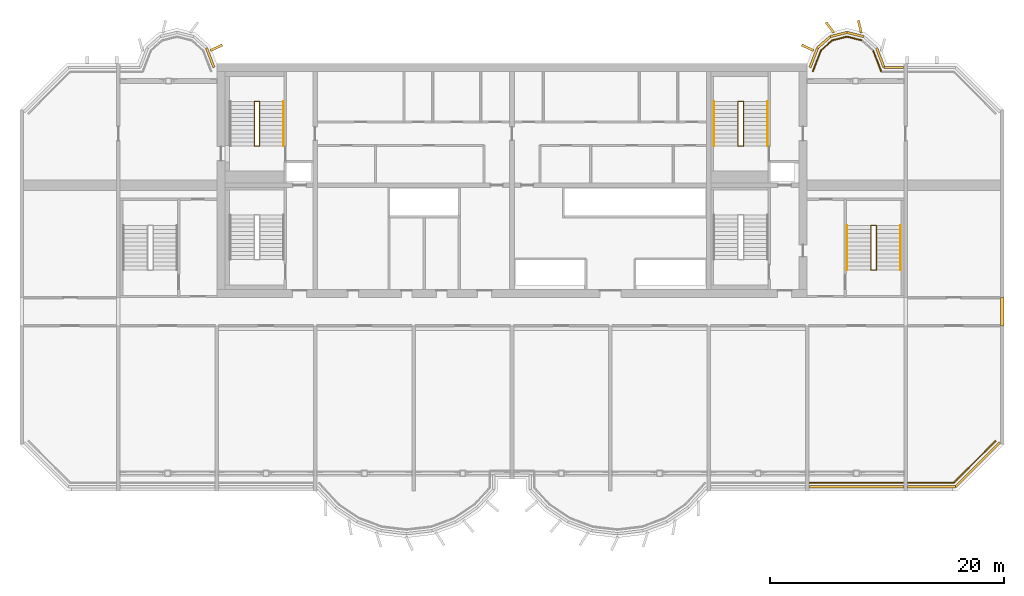
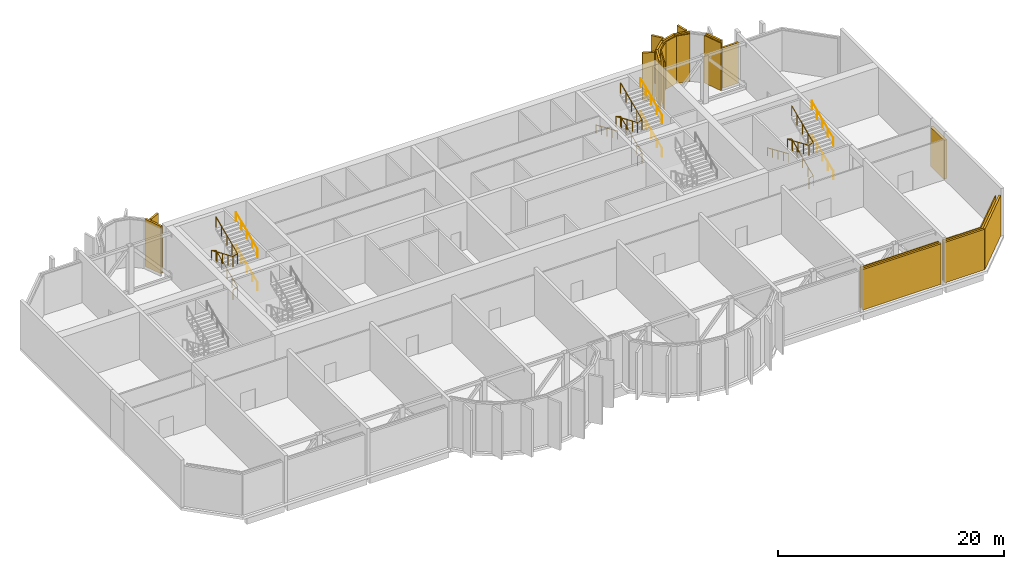
# One storey, part 14 of 15: 12 coverings, 11 railings, 11 shading devices.
"""IFC4 building model written with IfcOpenShell, lengths in metres."""

from ifc_helpers import new_model, si_unit, direction, frame, origin, origin_2d, place, context, subcontext, project, spatial, rectangle, circle, extrude, source, transform, mapped, material, layer, layer_set, material_profile, profile_set, type_object, element, save


model = new_model("IFC4")

# Units and contexts
model_context = context("Model", 3, precision=1e-05, world=origin(), true_north=direction((0.0, 1.0)))
body_context = subcontext(model_context, "Body", "Model", "MODEL_VIEW")
ifc_project = project(units=[si_unit("LENGTHUNIT", "METRE"), si_unit("AREAUNIT", "SQUARE_METRE"), si_unit("VOLUMEUNIT", "CUBIC_METRE"), si_unit("PLANEANGLEUNIT", "RADIAN"), si_unit("MASSUNIT", "GRAM", prefix="KILO")], contexts=[model_context])

# Site, building, storey
site_placement = place(None, origin())
site = spatial("IfcSite", under=ifc_project, at=site_placement, CompositionType="ELEMENT")
building_placement = place(site_placement, origin())
building = spatial("IfcBuilding", under=site, at=building_placement, Name="Vanashikhar Sky Hotel", CompositionType="ELEMENT")
storey_placement = place(building_placement, frame((0.0, 0.0, 201.0)))
storey = spatial("IfcBuildingStorey", under=building, at=storey_placement, Name="L49", CompositionType="ELEMENT", Elevation=201.0)

# Shading devices
ifc_material_1 = material(Name="Aluminium", Category="aluminium")
ifc_layer_1 = layer(ifc_material_1, 0.199951171875)
ifc_layer_set_1 = layer_set([ifc_layer_1], Name="Aluminium louvre band")
shading_device_type = type_object("IfcShadingDeviceType", Name="Aluminium louvre band", PredefinedType="USERDEFINED", material=ifc_layer_set_1)
shared_shape_1 = source(origin(), body_context, "Body", "SweptSolid", [
    extrude(rectangle(XDim=1.7900390625, YDim=0.199951171875, at=origin_2d()), origin(), (0.0, 0.0, 1.0), 5.1201171875),
])
for number, where, z_axis, x_axis, name in (
    (1, (81.839111328125, 42.485595703125, 0.0), (0.0, 0.0, 1.0), (-0.35776499493, 0.933811655744, 0.0), "Louvre band"),
    (2, (76.160888671875, 42.485595703125, 0.0), (0.0, 0.0, 1.0), (-0.35776499493, -0.933811655744, 0.0), "Louvre band"),
    (3, (24.63916015625, 42.485595703125, 0.0), (0.0, 0.0, 1.0), (-0.35776499493, 0.933811655744, 0.0), "Louvre band"),
):
    element("IfcShadingDevice", number, at=place(storey_placement, frame(where, z_axis=z_axis, x_axis=x_axis)), inside=storey, type_object=shading_device_type, Name=name, ObjectType="LOUVRE", PredefinedType="USERDEFINED", context=body_context, shape_type="MappedRepresentation", body=[
        mapped(shared_shape_1, transform((0.0, 0.0, 0.0), scale=1.0)),
    ])
shared_shape_2 = source(origin(), body_context, "Body", "SweptSolid", [
    extrude(rectangle(XDim=1.464599609375, YDim=0.199951171875, at=origin_2d()), origin(), (0.0, 0.0, 1.0), 5.1201171875),
])
shading_device_1_placement = place(storey_placement, frame((77.030029296875, 43.805908203125, 0.0), z_axis=(0.0, 0.0, 1.0), x_axis=(-0.749741606437, -0.661730703214, 0.0)))
element("IfcShadingDevice", 4, at=shading_device_1_placement, inside=storey, type_object=shading_device_type, Name="Louvre band", ObjectType="LOUVRE", PredefinedType="USERDEFINED", context=body_context, shape_type="MappedRepresentation", body=[
    mapped(shared_shape_2, transform((0.0, 0.0, 0.0), scale=1.0)),
])
shared_shape_3 = source(origin(), body_context, "Body", "SweptSolid", [
    extrude(rectangle(XDim=1.463134765625, YDim=0.199951171875, at=origin_2d()), origin(), (0.0, 0.0, 1.0), 5.1201171875),
])
for number, where, z_axis, x_axis, name in (
    (5, (79.71044921875, 44.465087890625, 0.0), (0.0, 0.0, 1.0), (-0.97113427991, 0.238533457579, 0.0), "Louvre band"),
    (6, (78.28955078125, 44.465087890625, 0.0), (0.0, 0.0, 1.0), (-0.97113427991, -0.238533457579, 0.0), "Louvre band"),
):
    element("IfcShadingDevice", number, at=place(storey_placement, frame(where, z_axis=z_axis, x_axis=x_axis)), inside=storey, type_object=shading_device_type, Name=name, ObjectType="LOUVRE", PredefinedType="USERDEFINED", context=body_context, shape_type="MappedRepresentation", body=[
        mapped(shared_shape_3, transform((0.0, 0.0, 0.0), scale=1.0)),
    ])

# Coverings
ifc_material_2 = material(Name="Concrete M40", Category="concrete")
ifc_layer_2 = layer(ifc_material_2, 0.10009765625)
ifc_layer_set_2 = layer_set([ifc_layer_2], Name="Plant floor cladding panel")
covering_type_1 = type_object("IfcCoveringType", Name="Plant floor cladding panel", PredefinedType="CLADDING", material=ifc_layer_set_2)
shared_shape_4 = source(origin(), body_context, "Body", "SweptSolid", [
    extrude(rectangle(XDim=5.076904296875, YDim=0.10009765625, at=origin_2d()), origin(), (0.0, 0.0, 1.0), 4.3701171875),
])
covering_1_placement = place(storey_placement, frame((89.905029296875, 7.994873046875, 0.0), z_axis=(0.0, 0.0, 1.0), x_axis=(0.707106781187, 0.707106781187, 0.0)))
element("IfcCovering", 7, at=covering_1_placement, inside=storey, type_object=covering_type_1, Name="Plant floor cladding panel", PredefinedType="CLADDING", context=body_context, shape_type="MappedRepresentation", body=[
    mapped(shared_shape_4, transform((0.0, 0.0, 0.0), scale=1.0)),
])
shared_shape_5 = source(origin(), body_context, "Body", "SweptSolid", [
    extrude(rectangle(XDim=1.944580078125, YDim=0.10009765625, at=origin_2d()), origin(), (0.0, 0.0, 1.0), 5.1201171875),
])
for number, where, z_axis, x_axis, name in (
    (8, (81.57080078125, 42.2080078125, 0.0), (0.0, 0.0, 1.0), (-0.357781292963, 0.933805411425, 0.0), "Plant floor cladding panel"),
    (9, (76.42919921875, 42.2080078125, 0.0), (0.0, 0.0, 1.0), (-0.357781292963, -0.933805411425, 0.0), "Plant floor cladding panel"),
):
    element("IfcCovering", number, at=place(storey_placement, frame(where, z_axis=z_axis, x_axis=x_axis)), inside=storey, type_object=covering_type_1, Name=name, PredefinedType="CLADDING", context=body_context, shape_type="MappedRepresentation", body=[
        mapped(shared_shape_5, transform((0.0, 0.0, 0.0), scale=1.0)),
    ])
shared_shape_6 = source(origin(), body_context, "Body", "SweptSolid", [
    extrude(rectangle(XDim=1.29248046875, YDim=0.10009765625, at=origin_2d()), origin(), (0.0, 0.0, 1.0), 5.1201171875),
])
covering_2_placement = place(storey_placement, frame((77.26171875, 43.543701171875, 0.0), z_axis=(0.0, 0.0, 1.0), x_axis=(-0.749683856685, -0.661796127993, 0.0)))
element("IfcCovering", 10, at=covering_2_placement, inside=storey, type_object=covering_type_1, Name="Plant floor cladding panel", PredefinedType="CLADDING", context=body_context, shape_type="MappedRepresentation", body=[
    mapped(shared_shape_6, transform((0.0, 0.0, 0.0), scale=1.0)),
])
shared_shape_7 = source(origin(), body_context, "Body", "SweptSolid", [
    extrude(rectangle(XDim=1.291015625, YDim=0.10009765625, at=origin_2d()), origin(), (0.0, 0.0, 1.0), 5.1201171875),
])
for number, where, z_axis, x_axis, name in (
    (11, (79.626953125, 44.125244140625, 0.0), (0.0, 0.0, 1.0), (-0.97115093032, 0.238465659035, 0.0), "Plant floor cladding panel"),
    (12, (78.373046875, 44.125244140625, 0.0), (0.0, 0.0, 1.0), (-0.97115093032, -0.238465659035, 0.0), "Plant floor cladding panel"),
):
    element("IfcCovering", number, at=place(storey_placement, frame(where, z_axis=z_axis, x_axis=x_axis)), inside=storey, type_object=covering_type_1, Name=name, PredefinedType="CLADDING", context=body_context, shape_type="MappedRepresentation", body=[
        mapped(shared_shape_7, transform((0.0, 0.0, 0.0), scale=1.0)),
    ])
ifc_material_3 = material(Name="Concrete M60 dark", Category="concrete")
ifc_material_profile = material_profile(ifc_material_3, rectangle(XDim=1.10009765625, YDim=0.199951171875, at=origin_2d()))
ifc_profile_set = profile_set([ifc_material_profile], Name="Rear lobe fin 1100 x 200")
covering_type_2 = type_object("IfcCoveringType", Name="Rear lobe fin 1100 x 200", PredefinedType="CLADDING", material=ifc_profile_set)
shared_shape_8 = source(origin(), body_context, "Body", "SweptSolid", [
    extrude(rectangle(XDim=1.10009765625, YDim=0.199951171875, at=origin_2d()), origin(), (0.0, 0.0, 1.0), 5.1201171875),
])
for number, where, z_axis, x_axis, name in (
    (13, (25.169677734375, 43.33447265625, 0.0), (0.0, 0.0, 1.0), (0.908004291068, 0.418960866193, 0.0), "Fin R1-4"),
    (14, (75.63037109375, 43.33447265625, 0.0), (0.0, 0.0, 1.0), (-0.908004291068, 0.418960866193, 0.0), "Fin R2-1"),
    (15, (77.5380859375, 45.06640625, 0.0), (0.0, 0.0, 1.0), (-0.602065892195, 0.798446404874, 0.0), "Fin R2-2"),
    (16, (80.08984375, 45.1455078125, 0.0), (0.0, 0.0, 1.0), (-0.224644935864, 0.974440687159, 0.0), "Fin R2-3"),
):
    element("IfcCovering", number, at=place(storey_placement, frame(where, z_axis=z_axis, x_axis=x_axis)), inside=storey, type_object=covering_type_2, Name=name, PredefinedType="CLADDING", context=body_context, shape_type="MappedRepresentation", body=[
        mapped(shared_shape_8, transform((0.0, 0.0, 0.0), scale=1.0)),
    ])

# Shading devices
shared_shape_9 = source(origin(), body_context, "Body", "SweptSolid", [
    extrude(rectangle(XDim=4.074951171875, YDim=0.199951171875, at=origin_2d()), origin(), (0.0, 0.0, 1.0), 4.3701171875),
])
shading_device_2_placement = place(storey_placement, frame((86.217529296875, 5.85009765625, 0.0), z_axis=(0.0, 0.0, 1.0), x_axis=(1.0, 0.0, 0.0)))
element("IfcShadingDevice", 17, at=shading_device_2_placement, inside=storey, type_object=shading_device_type, Name="Louvre band", ObjectType="LOUVRE", PredefinedType="USERDEFINED", context=body_context, shape_type="MappedRepresentation", body=[
    mapped(shared_shape_9, transform((0.0, 0.0, 0.0), scale=1.0)),
])
shared_shape_10 = source(origin(), body_context, "Body", "SweptSolid", [
    extrude(rectangle(XDim=8.0400390625, YDim=0.199951171875, at=origin_2d()), origin(), (0.0, 0.0, 1.0), 4.3701171875),
])
shading_device_3_placement = place(storey_placement, frame((79.800048828125, 5.85009765625, 0.0), z_axis=(0.0, 0.0, 1.0), x_axis=(1.0, 0.0, 0.0)))
element("IfcShadingDevice", 18, at=shading_device_3_placement, inside=storey, type_object=shading_device_type, Name="Louvre band", ObjectType="LOUVRE", PredefinedType="USERDEFINED", context=body_context, shape_type="MappedRepresentation", body=[
    mapped(shared_shape_10, transform((0.0, 0.0, 0.0), scale=1.0)),
])
shared_shape_11 = source(origin(), body_context, "Body", "SweptSolid", [
    extrude(rectangle(XDim=5.366943359375, YDim=0.199951171875, at=origin_2d()), origin(), (0.0, 0.0, 1.0), 4.3701171875),
])
shading_device_4_placement = place(storey_placement, frame((90.152587890625, 7.74755859375, 0.0), z_axis=(0.0, 0.0, 1.0), x_axis=(0.707106781187, 0.707106781187, 0.0)))
element("IfcShadingDevice", 19, at=shading_device_4_placement, inside=storey, type_object=shading_device_type, Name="Louvre band", ObjectType="LOUVRE", PredefinedType="USERDEFINED", context=body_context, shape_type="MappedRepresentation", body=[
    mapped(shared_shape_11, transform((0.0, 0.0, 0.0), scale=1.0)),
])
shared_shape_12 = source(origin(), body_context, "Body", "SweptSolid", [
    extrude(rectangle(XDim=1.66064453125, YDim=0.199951171875, at=origin_2d()), origin(), (0.0, 0.0, 1.0), 4.3701171875),
])
shading_device_5_placement = place(storey_placement, frame((82.989501953125, 41.64990234375, 0.0), z_axis=(0.0, 0.0, 1.0), x_axis=(-1.0, 0.0, 0.0)))
element("IfcShadingDevice", 20, at=shading_device_5_placement, inside=storey, type_object=shading_device_type, Name="Louvre band", ObjectType="LOUVRE", PredefinedType="USERDEFINED", context=body_context, shape_type="MappedRepresentation", body=[
    mapped(shared_shape_12, transform((0.0, 0.0, 0.0), scale=1.0)),
])

# Coverings
shared_shape_13 = source(origin(), body_context, "Body", "SweptSolid", [
    extrude(rectangle(XDim=3.93017578125, YDim=0.10009765625, at=origin_2d()), origin(), (0.0, 0.0, 1.0), 4.3701171875),
])
covering_3_placement = place(storey_placement, frame((86.14501953125, 6.199951171875, 0.0), z_axis=(0.0, 0.0, 1.0), x_axis=(1.0, 0.0, 0.0)))
element("IfcCovering", 21, at=covering_3_placement, inside=storey, type_object=covering_type_1, Name="Plant floor cladding panel", PredefinedType="CLADDING", context=body_context, shape_type="MappedRepresentation", body=[
    mapped(shared_shape_13, transform((0.0, 0.0, 0.0), scale=1.0)),
])
shared_shape_14 = source(origin(), body_context, "Body", "SweptSolid", [
    extrude(rectangle(XDim=8.0400390625, YDim=0.10009765625, at=origin_2d()), origin(), (0.0, 0.0, 1.0), 4.3701171875),
])
covering_4_placement = place(storey_placement, frame((79.800048828125, 6.199951171875, 0.0), z_axis=(0.0, 0.0, 1.0), x_axis=(1.0, 0.0, 0.0)))
element("IfcCovering", 22, at=covering_4_placement, inside=storey, type_object=covering_type_1, Name="Plant floor cladding panel", PredefinedType="CLADDING", context=body_context, shape_type="MappedRepresentation", body=[
    mapped(shared_shape_14, transform((0.0, 0.0, 0.0), scale=1.0)),
])

# Shading device
shared_shape_15 = source(origin(), body_context, "Body", "SweptSolid", [
    extrude(rectangle(XDim=0.300048828125, YDim=2.39990234375, at=origin_2d()), origin(), (0.0, 0.0, 1.0), 4.219970703125),
])
shading_device_6_placement = place(storey_placement, frame((92.25, 20.800048828125, 0.0), z_axis=(0.0, 0.0, 1.0), x_axis=(1.0, 0.0, 0.0)))
element("IfcShadingDevice", 23, at=shading_device_6_placement, inside=storey, type_object=shading_device_type, Name="Louvre band", ObjectType="LOUVRE", PredefinedType="USERDEFINED", context=body_context, shape_type="MappedRepresentation", body=[
    mapped(shared_shape_15, transform((0.0, 0.0, 0.0), scale=1.0)),
])

# Railings
ifc_material_4 = material(Name="Steel S355", Category="steel")
railing_type_1 = type_object("IfcRailingType", Name="Stair handrail 900", PredefinedType="HANDRAIL", material=ifc_material_4)
shared_shape_16 = source(origin(), body_context, "Body", "SweptSolid", [
    extrude(circle(Radius=0.02392578125, at=origin_2d()), frame((0.0, 0.0, 0.8759765625), z_axis=(0.0, -0.917250781605, 0.398310185215), x_axis=(1.0, 0.0, 0.0)), (0.0, 0.0, 1.0), 4.142822265625),
    extrude(circle(Radius=0.02099609375, at=origin_2d()), origin(), (0.0, 0.0, 1.0), 0.851806640625),
    extrude(circle(Radius=0.02099609375, at=origin_2d()), frame((0.0, -0.949951171875, 0.41259765625)), (0.0, 0.0, 1.0), 0.851806640625),
    extrude(circle(Radius=0.02099609375, at=origin_2d()), frame((0.0, -1.89990234375, 0.8251953125)), (0.0, 0.0, 1.0), 0.851806640625),
    extrude(circle(Radius=0.02099609375, at=origin_2d()), frame((0.0, -2.85009765625, 1.237548828125)), (0.0, 0.0, 1.0), 0.851806640625),
    extrude(circle(Radius=0.02099609375, at=origin_2d()), frame((0.0, -3.800048828125, 1.650146484375)), (0.0, 0.0, 1.0), 0.851806640625),
])
railing_1_placement = place(storey_placement, frame((67.64990234375, 38.75, 1.949951171875)))
element("IfcRailing", 24, at=railing_1_placement, inside=storey, type_object=railing_type_1, Name="Exit stair 6 handrail", PredefinedType="HANDRAIL", context=body_context, shape_type="MappedRepresentation", body=[
    mapped(shared_shape_16, transform((0.0, 0.0, 0.0), scale=1.0)),
])
shared_shape_17 = source(origin(), body_context, "Body", "SweptSolid", [
    extrude(circle(Radius=0.02392578125, at=origin_2d()), frame((0.0, 0.0, 0.8759765625), z_axis=(0.0, 0.917250781605, 0.398310185215), x_axis=(-1.0, 0.0, 0.0)), (0.0, 0.0, 1.0), 4.142822265625),
    extrude(circle(Radius=0.02099609375, at=origin_2d()), origin(), (0.0, 0.0, 1.0), 0.851806640625),
    extrude(circle(Radius=0.02099609375, at=origin_2d()), frame((0.0, 0.949951171875, 0.41259765625)), (0.0, 0.0, 1.0), 0.851806640625),
    extrude(circle(Radius=0.02099609375, at=origin_2d()), frame((0.0, 1.89990234375, 0.8251953125)), (0.0, 0.0, 1.0), 0.851806640625),
    extrude(circle(Radius=0.02099609375, at=origin_2d()), frame((0.0, 2.85009765625, 1.237548828125)), (0.0, 0.0, 1.0), 0.851806640625),
    extrude(circle(Radius=0.02099609375, at=origin_2d()), frame((0.0, 3.800048828125, 1.650146484375)), (0.0, 0.0, 1.0), 0.851806640625),
])
for number, where, name in (
    (25, (30.89990234375, 34.949951171875, 0.14990234375), "Exit stair 5 handrail"),
    (26, (72.199951171875, 34.949951171875, 0.14990234375), "Exit stair 6 handrail"),
):
    element("IfcRailing", number, at=place(storey_placement, frame(where)), inside=storey, type_object=railing_type_1, Name=name, PredefinedType="HANDRAIL", context=body_context, shape_type="MappedRepresentation", body=[
        mapped(shared_shape_17, transform((0.0, 0.0, 0.0), scale=1.0)),
    ])
railing_type_2 = type_object("IfcRailingType", Name="Stair guard 1100", PredefinedType="GUARDRAIL", material=ifc_material_4)
shared_shape_18 = source(origin(), body_context, "Body", "SweptSolid", [
    extrude(circle(Radius=0.02392578125, at=origin_2d()), frame((0.0, 0.0, 1.076171875), z_axis=(0.948786153043, 0.0, 0.315919033605), x_axis=(0.0, 1.0, 0.0)), (0.0, 0.0, 1.0), 0.474609375),
    extrude(circle(Radius=0.02392578125, at=origin_2d()), frame((0.4501953125, 0.0, 1.22607421875), z_axis=(0.0, 0.917250781605, 0.398310185215), x_axis=(-1.0, 0.0, 0.0)), (0.0, 0.0, 1.0), 4.142822265625),
    extrude(circle(Radius=0.02392578125, at=origin_2d()), frame((0.4501953125, 3.800048828125, 2.8759765625), z_axis=(-0.948786153043, 0.0, 0.315919033605), x_axis=(0.0, -1.0, 0.0)), (0.0, 0.0, 1.0), 0.474609375),
    extrude(circle(Radius=0.02392578125, at=origin_2d()), frame((0.0, 3.800048828125, 3.02587890625), z_axis=(0.0, -0.917250781605, 0.398310185215), x_axis=(1.0, 0.0, 0.0)), (0.0, 0.0, 1.0), 4.142822265625),
    extrude(circle(Radius=0.02392578125, at=origin_2d()), frame((0.0, 0.0, 4.67626953125), z_axis=(0.948786153043, 0.0, 0.315919033605), x_axis=(0.0, 1.0, 0.0)), (0.0, 0.0, 1.0), 0.474609375),
    extrude(circle(Radius=0.02392578125, at=origin_2d()), frame((0.4501953125, 0.0, 4.826171875), z_axis=(0.0, 0.91727231099, 0.398260602484), x_axis=(-1.0, 0.0, 0.0)), (0.0, 0.0, 1.0), 4.142822265625),
    extrude(circle(Radius=0.02099609375, at=origin_2d()), origin(), (0.0, 0.0, 1.0), 1.052001953125),
    extrude(circle(Radius=0.02099609375, at=origin_2d()), frame((0.4501953125, 0.0, 0.14990234375)), (0.0, 0.0, 1.0), 1.052001953125),
    extrude(circle(Radius=0.02099609375, at=origin_2d()), frame((0.4501953125, 0.949951171875, 0.5625)), (0.0, 0.0, 1.0), 1.052001953125),
    extrude(circle(Radius=0.02099609375, at=origin_2d()), frame((0.4501953125, 1.89990234375, 0.97509765625)), (0.0, 0.0, 1.0), 1.052001953125),
    extrude(circle(Radius=0.02099609375, at=origin_2d()), frame((0.4501953125, 2.85009765625, 1.387451171875)), (0.0, 0.0, 1.0), 1.052001953125),
    extrude(circle(Radius=0.02099609375, at=origin_2d()), frame((0.4501953125, 3.800048828125, 1.800048828125)), (0.0, 0.0, 1.0), 1.052001953125),
    extrude(circle(Radius=0.02099609375, at=origin_2d()), frame((0.0, 3.800048828125, 1.949951171875)), (0.0, 0.0, 1.0), 1.052001953125),
    extrude(circle(Radius=0.02099609375, at=origin_2d()), frame((0.0, 2.85009765625, 2.362548828125)), (0.0, 0.0, 1.0), 1.052001953125),
    extrude(circle(Radius=0.02099609375, at=origin_2d()), frame((0.0, 1.89990234375, 2.77490234375)), (0.0, 0.0, 1.0), 1.052001953125),
    extrude(circle(Radius=0.02099609375, at=origin_2d()), frame((0.0, 0.949951171875, 3.1875)), (0.0, 0.0, 1.0), 1.052001953125),
    extrude(circle(Radius=0.02099609375, at=origin_2d()), frame((0.0, 0.0, 3.60009765625)), (0.0, 0.0, 1.0), 1.052001953125),
    extrude(circle(Radius=0.02099609375, at=origin_2d()), frame((0.4501953125, 0.0, 3.75)), (0.0, 0.0, 1.0), 1.052001953125),
    extrude(circle(Radius=0.02099609375, at=origin_2d()), frame((0.4501953125, 0.949951171875, 4.16259765625)), (0.0, 0.0, 1.0), 1.052001953125),
    extrude(circle(Radius=0.02099609375, at=origin_2d()), frame((0.4501953125, 1.89990234375, 4.574951171875)), (0.0, 0.0, 1.0), 1.052001953125),
    extrude(circle(Radius=0.02099609375, at=origin_2d()), frame((0.4501953125, 2.85009765625, 4.9873046875)), (0.0, 0.0, 1.0), 1.052001953125),
    extrude(circle(Radius=0.02099609375, at=origin_2d()), frame((0.4501953125, 3.800048828125, 5.39990234375)), (0.0, 0.0, 1.0), 1.052001953125),
])
railing_2_placement = place(storey_placement, frame((28.39990234375, 34.949951171875, 0.0)))
element("IfcRailing", 27, at=railing_2_placement, inside=storey, type_object=railing_type_2, Name="Exit stair 5 guard", PredefinedType="GUARDRAIL", context=body_context, shape_type="MappedRepresentation", body=[
    mapped(shared_shape_18, transform((0.0, 0.0, 0.0), scale=1.0)),
])
shared_shape_19 = source(origin(), body_context, "Body", "SweptSolid", [
    extrude(circle(Radius=0.02392578125, at=origin_2d()), frame((0.0, 0.0, 0.8759765625), z_axis=(0.0, 0.91727231099, 0.398260602484), x_axis=(-1.0, 0.0, 0.0)), (0.0, 0.0, 1.0), 4.142822265625),
    extrude(circle(Radius=0.02099609375, at=origin_2d()), origin(), (0.0, 0.0, 1.0), 0.851806640625),
    extrude(circle(Radius=0.02099609375, at=origin_2d()), frame((0.0, 0.949951171875, 0.41259765625)), (0.0, 0.0, 1.0), 0.851806640625),
    extrude(circle(Radius=0.02099609375, at=origin_2d()), frame((0.0, 1.89990234375, 0.824951171875)), (0.0, 0.0, 1.0), 0.851806640625),
    extrude(circle(Radius=0.02099609375, at=origin_2d()), frame((0.0, 2.85009765625, 1.2373046875)), (0.0, 0.0, 1.0), 0.851806640625),
    extrude(circle(Radius=0.02099609375, at=origin_2d()), frame((0.0, 3.800048828125, 1.64990234375)), (0.0, 0.0, 1.0), 0.851806640625),
])
for number, where, name in (
    (28, (30.89990234375, 34.949951171875, 3.75), "Exit stair 5 handrail"),
    (29, (72.199951171875, 34.949951171875, 3.75), "Exit stair 6 handrail"),
):
    element("IfcRailing", number, at=place(storey_placement, frame(where)), inside=storey, type_object=railing_type_1, Name=name, PredefinedType="HANDRAIL", context=body_context, shape_type="MappedRepresentation", body=[
        mapped(shared_shape_19, transform((0.0, 0.0, 0.0), scale=1.0)),
    ])
shared_shape_20 = source(origin(), body_context, "Body", "SweptSolid", [
    extrude(circle(Radius=0.02392578125, at=origin_2d()), frame((0.0, 0.0, 1.076171875), z_axis=(0.948734763221, 0.0, 0.316073328604), x_axis=(0.0, 1.0, 0.0)), (0.0, 0.0, 1.0), 0.474365234375),
    extrude(circle(Radius=0.02392578125, at=origin_2d()), frame((0.449951171875, 0.0, 1.22607421875), z_axis=(0.0, 0.917250781605, 0.398310185215), x_axis=(-1.0, 0.0, 0.0)), (0.0, 0.0, 1.0), 4.142822265625),
    extrude(circle(Radius=0.02392578125, at=origin_2d()), frame((0.449951171875, 3.800048828125, 2.8759765625), z_axis=(-0.948734763221, 0.0, 0.316073328604), x_axis=(0.0, -1.0, 0.0)), (0.0, 0.0, 1.0), 0.474365234375),
    extrude(circle(Radius=0.02392578125, at=origin_2d()), frame((0.0, 3.800048828125, 3.02587890625), z_axis=(0.0, -0.917250781605, 0.398310185215), x_axis=(1.0, 0.0, 0.0)), (0.0, 0.0, 1.0), 4.142822265625),
    extrude(circle(Radius=0.02392578125, at=origin_2d()), frame((0.0, 0.0, 4.67626953125), z_axis=(0.948734763221, 0.0, 0.316073328604), x_axis=(0.0, 1.0, 0.0)), (0.0, 0.0, 1.0), 0.474365234375),
    extrude(circle(Radius=0.02392578125, at=origin_2d()), frame((0.449951171875, 0.0, 4.826171875), z_axis=(0.0, 0.91727231099, 0.398260602484), x_axis=(-1.0, 0.0, 0.0)), (0.0, 0.0, 1.0), 4.142822265625),
    extrude(circle(Radius=0.02099609375, at=origin_2d()), origin(), (0.0, 0.0, 1.0), 1.052001953125),
    extrude(circle(Radius=0.02099609375, at=origin_2d()), frame((0.449951171875, 0.0, 0.14990234375)), (0.0, 0.0, 1.0), 1.052001953125),
    extrude(circle(Radius=0.02099609375, at=origin_2d()), frame((0.449951171875, 0.949951171875, 0.5625)), (0.0, 0.0, 1.0), 1.052001953125),
    extrude(circle(Radius=0.02099609375, at=origin_2d()), frame((0.449951171875, 1.89990234375, 0.97509765625)), (0.0, 0.0, 1.0), 1.052001953125),
    extrude(circle(Radius=0.02099609375, at=origin_2d()), frame((0.449951171875, 2.85009765625, 1.387451171875)), (0.0, 0.0, 1.0), 1.052001953125),
    extrude(circle(Radius=0.02099609375, at=origin_2d()), frame((0.449951171875, 3.800048828125, 1.800048828125)), (0.0, 0.0, 1.0), 1.052001953125),
    extrude(circle(Radius=0.02099609375, at=origin_2d()), frame((0.0, 3.800048828125, 1.949951171875)), (0.0, 0.0, 1.0), 1.052001953125),
    extrude(circle(Radius=0.02099609375, at=origin_2d()), frame((0.0, 2.85009765625, 2.362548828125)), (0.0, 0.0, 1.0), 1.052001953125),
    extrude(circle(Radius=0.02099609375, at=origin_2d()), frame((0.0, 1.89990234375, 2.77490234375)), (0.0, 0.0, 1.0), 1.052001953125),
    extrude(circle(Radius=0.02099609375, at=origin_2d()), frame((0.0, 0.949951171875, 3.1875)), (0.0, 0.0, 1.0), 1.052001953125),
    extrude(circle(Radius=0.02099609375, at=origin_2d()), frame((0.0, 0.0, 3.60009765625)), (0.0, 0.0, 1.0), 1.052001953125),
    extrude(circle(Radius=0.02099609375, at=origin_2d()), frame((0.449951171875, 0.0, 3.75)), (0.0, 0.0, 1.0), 1.052001953125),
    extrude(circle(Radius=0.02099609375, at=origin_2d()), frame((0.449951171875, 0.949951171875, 4.16259765625)), (0.0, 0.0, 1.0), 1.052001953125),
    extrude(circle(Radius=0.02099609375, at=origin_2d()), frame((0.449951171875, 1.89990234375, 4.574951171875)), (0.0, 0.0, 1.0), 1.052001953125),
    extrude(circle(Radius=0.02099609375, at=origin_2d()), frame((0.449951171875, 2.85009765625, 4.9873046875)), (0.0, 0.0, 1.0), 1.052001953125),
    extrude(circle(Radius=0.02099609375, at=origin_2d()), frame((0.449951171875, 3.800048828125, 5.39990234375)), (0.0, 0.0, 1.0), 1.052001953125),
])
railing_3_placement = place(storey_placement, frame((69.699951171875, 34.949951171875, 0.0)))
element("IfcRailing", 30, at=railing_3_placement, inside=storey, type_object=railing_type_2, Name="Exit stair 6 guard", PredefinedType="GUARDRAIL", context=body_context, shape_type="MappedRepresentation", body=[
    mapped(shared_shape_20, transform((0.0, 0.0, 0.0), scale=1.0)),
])
shared_shape_21 = source(origin(), body_context, "Body", "SweptSolid", [
    extrude(circle(Radius=0.02392578125, at=origin_2d()), frame((0.0, 0.0, 0.8759765625), z_axis=(0.0, -0.917241431489, 0.398331716489), x_axis=(1.0, 0.0, 0.0)), (0.0, 0.0, 1.0), 4.142578125),
    extrude(circle(Radius=0.02099609375, at=origin_2d()), origin(), (0.0, 0.0, 1.0), 0.851806640625),
    extrude(circle(Radius=0.02099609375, at=origin_2d()), frame((0.0, -0.949951171875, 0.41259765625)), (0.0, 0.0, 1.0), 0.851806640625),
    extrude(circle(Radius=0.02099609375, at=origin_2d()), frame((0.0, -1.89990234375, 0.8251953125)), (0.0, 0.0, 1.0), 0.851806640625),
    extrude(circle(Radius=0.02099609375, at=origin_2d()), frame((0.0, -2.849853515625, 1.237548828125)), (0.0, 0.0, 1.0), 0.851806640625),
    extrude(circle(Radius=0.02099609375, at=origin_2d()), frame((0.0, -3.7998046875, 1.650146484375)), (0.0, 0.0, 1.0), 0.851806640625),
])
railing_4_placement = place(storey_placement, frame((79.0, 28.14990234375, 1.949951171875)))
element("IfcRailing", 31, at=railing_4_placement, inside=storey, type_object=railing_type_1, Name="Exit stair 4 handrail", PredefinedType="HANDRAIL", context=body_context, shape_type="MappedRepresentation", body=[
    mapped(shared_shape_21, transform((0.0, 0.0, 0.0), scale=1.0)),
])
shared_shape_22 = source(origin(), body_context, "Body", "SweptSolid", [
    extrude(circle(Radius=0.02392578125, at=origin_2d()), frame((0.0, 0.0, 0.8759765625), z_axis=(0.0, 0.917241431489, 0.398331716489), x_axis=(-1.0, 0.0, 0.0)), (0.0, 0.0, 1.0), 4.142578125),
    extrude(circle(Radius=0.02099609375, at=origin_2d()), origin(), (0.0, 0.0, 1.0), 0.851806640625),
    extrude(circle(Radius=0.02099609375, at=origin_2d()), frame((0.0, 0.949951171875, 0.41259765625)), (0.0, 0.0, 1.0), 0.851806640625),
    extrude(circle(Radius=0.02099609375, at=origin_2d()), frame((0.0, 1.89990234375, 0.8251953125)), (0.0, 0.0, 1.0), 0.851806640625),
    extrude(circle(Radius=0.02099609375, at=origin_2d()), frame((0.0, 2.849853515625, 1.237548828125)), (0.0, 0.0, 1.0), 0.851806640625),
    extrude(circle(Radius=0.02099609375, at=origin_2d()), frame((0.0, 3.7998046875, 1.650146484375)), (0.0, 0.0, 1.0), 0.851806640625),
])
railing_5_placement = place(storey_placement, frame((83.550048828125, 24.35009765625, 0.14990234375)))
element("IfcRailing", 32, at=railing_5_placement, inside=storey, type_object=railing_type_1, Name="Exit stair 4 handrail", PredefinedType="HANDRAIL", context=body_context, shape_type="MappedRepresentation", body=[
    mapped(shared_shape_22, transform((0.0, 0.0, 0.0), scale=1.0)),
])
shared_shape_23 = source(origin(), body_context, "Body", "SweptSolid", [
    extrude(circle(Radius=0.02392578125, at=origin_2d()), frame((0.0, 0.0, 1.076171875), z_axis=(0.948734763221, 0.0, 0.316073328604), x_axis=(0.0, 1.0, 0.0)), (0.0, 0.0, 1.0), 0.474365234375),
    extrude(circle(Radius=0.02392578125, at=origin_2d()), frame((0.449951171875, 0.0, 1.22607421875), z_axis=(0.0, 0.917241431489, 0.398331716489), x_axis=(-1.0, 0.0, 0.0)), (0.0, 0.0, 1.0), 4.142578125),
    extrude(circle(Radius=0.02392578125, at=origin_2d()), frame((0.449951171875, 3.7998046875, 2.8759765625), z_axis=(-0.948734763221, 0.0, 0.316073328604), x_axis=(0.0, -1.0, 0.0)), (0.0, 0.0, 1.0), 0.474365234375),
    extrude(circle(Radius=0.02392578125, at=origin_2d()), frame((0.0, 3.7998046875, 3.02587890625), z_axis=(0.0, -0.917241431489, 0.398331716489), x_axis=(1.0, 0.0, 0.0)), (0.0, 0.0, 1.0), 4.142578125),
    extrude(circle(Radius=0.02392578125, at=origin_2d()), frame((0.0, 0.0, 4.67626953125), z_axis=(0.948734763221, 0.0, 0.316073328604), x_axis=(0.0, 1.0, 0.0)), (0.0, 0.0, 1.0), 0.474365234375),
    extrude(circle(Radius=0.02392578125, at=origin_2d()), frame((0.449951171875, 0.0, 4.826171875), z_axis=(0.0, 0.917262962982, 0.398282132089), x_axis=(-1.0, 0.0, 0.0)), (0.0, 0.0, 1.0), 4.142578125),
    extrude(circle(Radius=0.02099609375, at=origin_2d()), origin(), (0.0, 0.0, 1.0), 1.052001953125),
    extrude(circle(Radius=0.02099609375, at=origin_2d()), frame((0.449951171875, 0.0, 0.14990234375)), (0.0, 0.0, 1.0), 1.052001953125),
    extrude(circle(Radius=0.02099609375, at=origin_2d()), frame((0.449951171875, 0.949951171875, 0.5625)), (0.0, 0.0, 1.0), 1.052001953125),
    extrude(circle(Radius=0.02099609375, at=origin_2d()), frame((0.449951171875, 1.89990234375, 0.97509765625)), (0.0, 0.0, 1.0), 1.052001953125),
    extrude(circle(Radius=0.02099609375, at=origin_2d()), frame((0.449951171875, 2.849853515625, 1.387451171875)), (0.0, 0.0, 1.0), 1.052001953125),
    extrude(circle(Radius=0.02099609375, at=origin_2d()), frame((0.449951171875, 3.7998046875, 1.800048828125)), (0.0, 0.0, 1.0), 1.052001953125),
    extrude(circle(Radius=0.02099609375, at=origin_2d()), frame((0.0, 3.7998046875, 1.949951171875)), (0.0, 0.0, 1.0), 1.052001953125),
    extrude(circle(Radius=0.02099609375, at=origin_2d()), frame((0.0, 2.849853515625, 2.362548828125)), (0.0, 0.0, 1.0), 1.052001953125),
    extrude(circle(Radius=0.02099609375, at=origin_2d()), frame((0.0, 1.89990234375, 2.77490234375)), (0.0, 0.0, 1.0), 1.052001953125),
    extrude(circle(Radius=0.02099609375, at=origin_2d()), frame((0.0, 0.949951171875, 3.1875)), (0.0, 0.0, 1.0), 1.052001953125),
    extrude(circle(Radius=0.02099609375, at=origin_2d()), frame((0.0, 0.0, 3.60009765625)), (0.0, 0.0, 1.0), 1.052001953125),
    extrude(circle(Radius=0.02099609375, at=origin_2d()), frame((0.449951171875, 0.0, 3.75)), (0.0, 0.0, 1.0), 1.052001953125),
    extrude(circle(Radius=0.02099609375, at=origin_2d()), frame((0.449951171875, 0.949951171875, 4.16259765625)), (0.0, 0.0, 1.0), 1.052001953125),
    extrude(circle(Radius=0.02099609375, at=origin_2d()), frame((0.449951171875, 1.89990234375, 4.574951171875)), (0.0, 0.0, 1.0), 1.052001953125),
    extrude(circle(Radius=0.02099609375, at=origin_2d()), frame((0.449951171875, 2.849853515625, 4.9873046875)), (0.0, 0.0, 1.0), 1.052001953125),
    extrude(circle(Radius=0.02099609375, at=origin_2d()), frame((0.449951171875, 3.7998046875, 5.39990234375)), (0.0, 0.0, 1.0), 1.052001953125),
])
railing_6_placement = place(storey_placement, frame((81.050048828125, 24.35009765625, 0.0)))
element("IfcRailing", 33, at=railing_6_placement, inside=storey, type_object=railing_type_2, Name="Exit stair 4 guard", PredefinedType="GUARDRAIL", context=body_context, shape_type="MappedRepresentation", body=[
    mapped(shared_shape_23, transform((0.0, 0.0, 0.0), scale=1.0)),
])
shared_shape_24 = source(origin(), body_context, "Body", "SweptSolid", [
    extrude(circle(Radius=0.02392578125, at=origin_2d()), frame((0.0, 0.0, 0.8759765625), z_axis=(0.0, 0.917262962982, 0.398282132089), x_axis=(-1.0, 0.0, 0.0)), (0.0, 0.0, 1.0), 4.142578125),
    extrude(circle(Radius=0.02099609375, at=origin_2d()), origin(), (0.0, 0.0, 1.0), 0.851806640625),
    extrude(circle(Radius=0.02099609375, at=origin_2d()), frame((0.0, 0.949951171875, 0.41259765625)), (0.0, 0.0, 1.0), 0.851806640625),
    extrude(circle(Radius=0.02099609375, at=origin_2d()), frame((0.0, 1.89990234375, 0.824951171875)), (0.0, 0.0, 1.0), 0.851806640625),
    extrude(circle(Radius=0.02099609375, at=origin_2d()), frame((0.0, 2.849853515625, 1.2373046875)), (0.0, 0.0, 1.0), 0.851806640625),
    extrude(circle(Radius=0.02099609375, at=origin_2d()), frame((0.0, 3.7998046875, 1.64990234375)), (0.0, 0.0, 1.0), 0.851806640625),
])
railing_7_placement = place(storey_placement, frame((83.550048828125, 24.35009765625, 3.75)))
element("IfcRailing", 34, at=railing_7_placement, inside=storey, type_object=railing_type_1, Name="Exit stair 4 handrail", PredefinedType="HANDRAIL", context=body_context, shape_type="MappedRepresentation", body=[
    mapped(shared_shape_24, transform((0.0, 0.0, 0.0), scale=1.0)),
])

save(model, "model.ifc")
